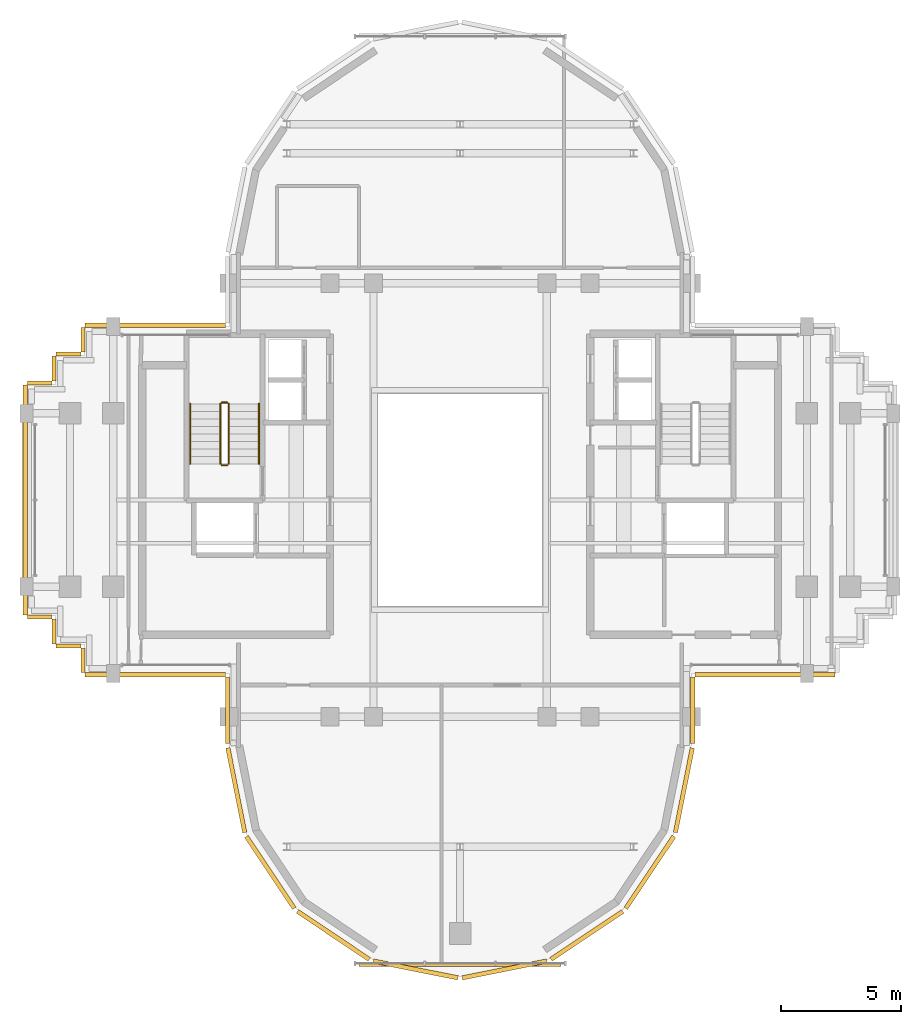
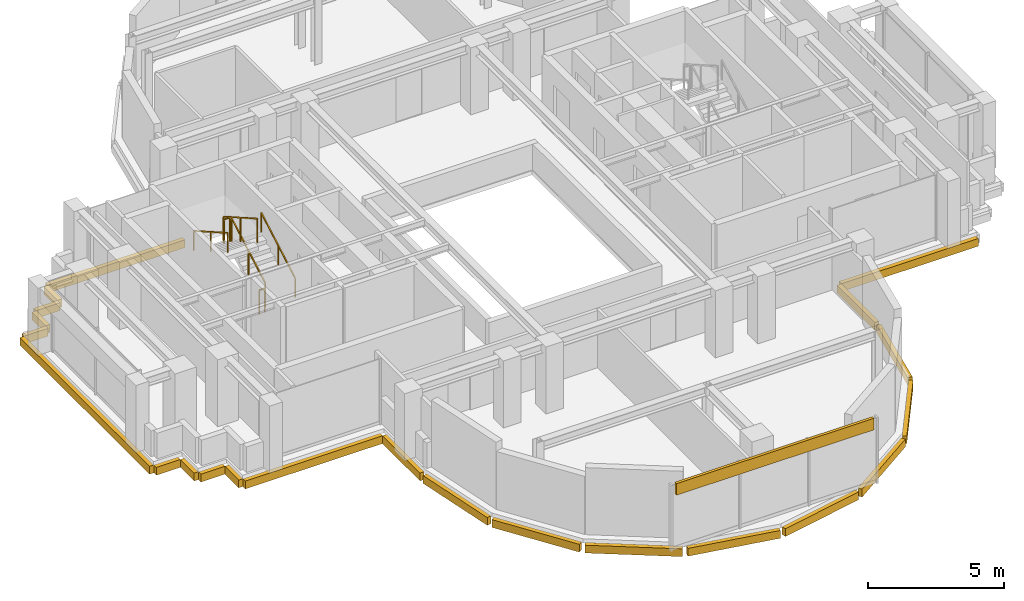
# One storey, part 11 of 12: 23 coverings, 6 railings.
"""IFC4 building model written with IfcOpenShell, lengths in metres."""

from ifc_helpers import new_model, si_unit, direction, frame, origin, origin_2d, place, context, subcontext, project, spatial, rectangle, extrude, source, transform, mapped, material, layer, layer_set, type_object, element, save


model = new_model("IFC4")

# Units and contexts
model_context = context("Model", 3, precision=1e-05, world=origin(), true_north=direction((0.0, 1.0)))
body_context = subcontext(model_context, "Body", "Model", "MODEL_VIEW")
ifc_project = project(units=[si_unit("LENGTHUNIT", "METRE"), si_unit("AREAUNIT", "SQUARE_METRE"), si_unit("VOLUMEUNIT", "CUBIC_METRE"), si_unit("PLANEANGLEUNIT", "RADIAN"), si_unit("MASSUNIT", "GRAM", prefix="KILO")], contexts=[model_context])

# Site, building, storey
site_placement = place(None, origin())
site = spatial("IfcSite", under=ifc_project, at=site_placement, CompositionType="ELEMENT")
building_placement = place(site_placement, origin())
building = spatial("IfcBuilding", under=site, at=building_placement, Name="Keilestroom Media Tower", CompositionType="ELEMENT")
storey_placement = place(building_placement, frame((0.0, 0.0, 236.39990234375)))
storey = spatial("IfcBuildingStorey", under=building, at=storey_placement, Name="L65", CompositionType="ELEMENT", Elevation=236.39990234375)

# Railings
ifc_material_1 = material(Name="Brushed Stainless Steel 1.4301", Category="steel")
railing_type_1 = type_object("IfcRailingType", Name="Stair-Pitch-Handrail-920", PredefinedType="HANDRAIL", material=ifc_material_1)
railing_1_placement = place(storey_placement, frame((-8.35009765625, 1.5, 0.177978515625)))
element("IfcRailing", 1, at=railing_1_placement, inside=storey, type_object=railing_type_1, Name="L65 ST-1 stair handrail 1", PredefinedType="HANDRAIL", context=body_context, shape_type="SweptSolid", body=[
    extrude(rectangle(XDim=0.048095703125, YDim=0.048095703125, at=origin_2d()), frame((0.0, 0.0, 0.8759765625), z_axis=(0.0, 0.868875238982, 0.495031129408), x_axis=(-1.0, 0.0, 0.0)), (0.0, 0.0, 1.0), 2.872802734375),
    extrude(rectangle(XDim=0.0419921875, YDim=0.0419921875, at=origin_2d()), origin(), (0.0, 0.0, 1.0), 0.84375),
    extrude(rectangle(XDim=0.0419921875, YDim=0.0419921875, at=origin_2d()), frame((0.0, 1.248046875, 0.7109375)), (0.0, 0.0, 1.0), 0.84375),
    extrude(rectangle(XDim=0.0419921875, YDim=0.0419921875, at=origin_2d()), frame((0.0, 2.49609375, 1.422119140625)), (0.0, 0.0, 1.0), 0.84375),
])
railing_2_placement = place(storey_placement, frame((-11.2099609375, 3.99609375, 1.77783203125)))
element("IfcRailing", 2, at=railing_2_placement, inside=storey, type_object=railing_type_1, Name="L65 ST-1 stair handrail 2", PredefinedType="HANDRAIL", context=body_context, shape_type="SweptSolid", body=[
    extrude(rectangle(XDim=0.048095703125, YDim=0.048095703125, at=origin_2d()), frame((0.0, 0.0, 0.8759765625), z_axis=(0.0, -0.868838684858, 0.495095283449), x_axis=(1.0, 0.0, 0.0)), (0.0, 0.0, 1.0), 2.872802734375),
    extrude(rectangle(XDim=0.0419921875, YDim=0.0419921875, at=origin_2d()), origin(), (0.0, 0.0, 1.0), 0.84375),
    extrude(rectangle(XDim=0.0419921875, YDim=0.0419921875, at=origin_2d()), frame((0.0, -1.248046875, 0.711181640625)), (0.0, 0.0, 1.0), 0.84375),
    extrude(rectangle(XDim=0.0419921875, YDim=0.0419921875, at=origin_2d()), frame((0.0, -2.49609375, 1.42236328125)), (0.0, 0.0, 1.0), 0.84375),
])
ifc_material_2 = material(Name="Painted Steel Balustrade", Category="steel")
railing_type_2 = type_object("IfcRailingType", Name="Stair-Well-And-Landing-Guard-1100", PredefinedType="GUARDRAIL", material=ifc_material_2)
railing_3_placement = place(storey_placement, frame((-9.610107421875, 1.5, 0.177978515625)))
element("IfcRailing", 3, at=railing_3_placement, inside=storey, type_object=railing_type_2, Name="L65 ST-1 stair guard 1", PredefinedType="GUARDRAIL", context=body_context, shape_type="SweptSolid", body=[
    extrude(rectangle(XDim=0.048095703125, YDim=0.048095703125, at=origin_2d()), frame((0.0, 0.0, 1.076171875), z_axis=(0.0, 0.868875238982, 0.495031129408), x_axis=(-1.0, 0.0, 0.0)), (0.0, 0.0, 1.0), 2.872802734375),
    extrude(rectangle(XDim=0.0419921875, YDim=0.0419921875, at=origin_2d()), origin(), (0.0, 0.0, 1.0), 1.0439453125),
    extrude(rectangle(XDim=0.0419921875, YDim=0.0419921875, at=origin_2d()), frame((0.0, 1.248046875, 0.7109375)), (0.0, 0.0, 1.0), 1.0439453125),
    extrude(rectangle(XDim=0.0419921875, YDim=0.0419921875, at=origin_2d()), frame((0.0, 2.49609375, 1.422119140625)), (0.0, 0.0, 1.0), 1.0439453125),
])
railing_4_placement = place(storey_placement, frame((-9.659912109375, 4.0458984375, 1.60009765625)))
element("IfcRailing", 4, at=railing_4_placement, inside=storey, type_object=railing_type_2, Name="L65 ST-1 stair guard 2", PredefinedType="GUARDRAIL", context=body_context, shape_type="SweptSolid", body=[
    extrude(rectangle(XDim=0.048095703125, YDim=0.048095703125, at=origin_2d()), frame((0.0, 0.0, 1.076171875), z_axis=(-1.0, 0.0, 0.0), x_axis=(0.0, -1.0, 0.0)), (0.0, 0.0, 1.0), 0.239990234375),
    extrude(rectangle(XDim=0.0419921875, YDim=0.0419921875, at=origin_2d()), origin(), (0.0, 0.0, 1.0), 1.0439453125),
    extrude(rectangle(XDim=0.0419921875, YDim=0.0419921875, at=origin_2d()), frame((-0.239990234375, 0.0, 0.0)), (0.0, 0.0, 1.0), 1.0439453125),
])
railing_5_placement = place(storey_placement, frame((-9.949951171875, 3.99609375, 1.77783203125)))
element("IfcRailing", 5, at=railing_5_placement, inside=storey, type_object=railing_type_2, Name="L65 ST-1 stair guard 3", PredefinedType="GUARDRAIL", context=body_context, shape_type="SweptSolid", body=[
    extrude(rectangle(XDim=0.048095703125, YDim=0.048095703125, at=origin_2d()), frame((0.0, 0.0, 1.076171875), z_axis=(0.0, -0.868838684858, 0.495095283449), x_axis=(1.0, 0.0, 0.0)), (0.0, 0.0, 1.0), 2.872802734375),
    extrude(rectangle(XDim=0.0419921875, YDim=0.0419921875, at=origin_2d()), origin(), (0.0, 0.0, 1.0), 1.0439453125),
    extrude(rectangle(XDim=0.0419921875, YDim=0.0419921875, at=origin_2d()), frame((0.0, -1.248046875, 0.711181640625)), (0.0, 0.0, 1.0), 1.0439453125),
    extrude(rectangle(XDim=0.0419921875, YDim=0.0419921875, at=origin_2d()), frame((0.0, -2.49609375, 1.42236328125)), (0.0, 0.0, 1.0), 1.0439453125),
])
railing_6_placement = place(storey_placement, frame((-9.659912109375, 1.449951171875, 0.0)))
element("IfcRailing", 6, at=railing_6_placement, inside=storey, type_object=railing_type_2, Name="L65 ST-1 stair guard 4", PredefinedType="GUARDRAIL", context=body_context, shape_type="SweptSolid", body=[
    extrude(rectangle(XDim=0.048095703125, YDim=0.048095703125, at=origin_2d()), frame((0.0, 0.0, 1.076171875), z_axis=(-1.0, 0.0, 0.0), x_axis=(0.0, -1.0, 0.0)), (0.0, 0.0, 1.0), 0.239990234375),
    extrude(rectangle(XDim=0.0419921875, YDim=0.0419921875, at=origin_2d()), origin(), (0.0, 0.0, 1.0), 1.0439453125),
    extrude(rectangle(XDim=0.0419921875, YDim=0.0419921875, at=origin_2d()), frame((-0.239990234375, 0.0, 0.0)), (0.0, 0.0, 1.0), 1.0439453125),
])

# Coverings
ifc_material_3 = material(Name="Precast concrete C40/50", Category="concrete")
ifc_layer = layer(ifc_material_3, 0.1201171875)
ifc_layer_set = layer_set([ifc_layer], Name="Precast concrete C40/50")
covering_type = type_object("IfcCoveringType", Name="Exterior-Precast-Spandrel-Cladding-Panel-120", PredefinedType="CLADDING", material=ifc_layer_set)
shared_shape_1 = source(origin(), body_context, "Body", "SweptSolid", [
    extrude(rectangle(XDim=8.39990234375, YDim=0.1201171875, at=origin_2d()), origin(), (0.0, 0.0, 1.0), 0.52001953125),
])
covering_1_placement = place(storey_placement, frame((0.0, -19.320068359375, 2.5), z_axis=(0.0, 0.0, 1.0), x_axis=(1.0, 0.0, 0.0)))
element("IfcCovering", 7, at=covering_1_placement, inside=storey, type_object=covering_type, Name="L65 Precast Spandrel Cladding S", PredefinedType="CLADDING", context=body_context, shape_type="MappedRepresentation", body=[
    mapped(shared_shape_1, transform((0.0, 0.0, 0.0), x_axis=(1.0, 0.0, 0.0), y_axis=(0.0, 1.0, 0.0), z_axis=(0.0, 0.0, 1.0), scale=1.0)),
])
shared_shape_2 = source(origin(), body_context, "Body", "SweptSolid", [
    extrude(rectangle(XDim=1.02001953125, YDim=0.179931640625, at=origin_2d()), origin(), (0.0, 0.0, 1.0), 0.35009765625),
])
for number, where, z_axis, x_axis, name in (
    (8, (-15.659912109375, -6.659912109375, -0.530029296875), (0.0, 0.0, 1.0), (0.0, 1.0, 0.0), "L65 Precast Slab-Edge Fascia Cornice 17"),
    (9, (-16.260009765625, -6.06005859375, -0.530029296875), (0.0, 0.0, 1.0), (-1.0, 0.0, 0.0), "L65 Precast Slab-Edge Fascia Cornice 18"),
    (10, (-16.860107421875, -5.4599609375, -0.530029296875), (0.0, 0.0, 1.0), (0.0, 1.0, 0.0), "L65 Precast Slab-Edge Fascia Cornice 19"),
    (11, (-17.4599609375, -4.860107421875, -0.530029296875), (0.0, 0.0, 1.0), (-1.0, 0.0, 0.0), "L65 Precast Slab-Edge Fascia Cornice 20"),
    (12, (-17.4599609375, 4.860107421875, -0.530029296875), (0.0, 0.0, 1.0), (1.0, 0.0, 0.0), "L65 Precast Slab-Edge Fascia Cornice 22"),
    (13, (-16.860107421875, 5.4599609375, -0.530029296875), (0.0, 0.0, 1.0), (0.0, 1.0, 0.0), "L65 Precast Slab-Edge Fascia Cornice 23"),
    (14, (-16.260009765625, 6.06005859375, -0.530029296875), (0.0, 0.0, 1.0), (1.0, 0.0, 0.0), "L65 Precast Slab-Edge Fascia Cornice 24"),
    (15, (-15.659912109375, 6.659912109375, -0.530029296875), (0.0, 0.0, 1.0), (0.0, 1.0, 0.0), "L65 Precast Slab-Edge Fascia Cornice 25"),
):
    element("IfcCovering", number, at=place(storey_placement, frame(where, z_axis=z_axis, x_axis=x_axis)), inside=storey, type_object=covering_type, Name=name, PredefinedType="CLADDING", context=body_context, shape_type="MappedRepresentation", body=[
        mapped(shared_shape_2, transform((0.0, 0.0, 0.0), x_axis=(1.0, 0.0, 0.0), y_axis=(0.0, 1.0, 0.0), z_axis=(0.0, 0.0, 1.0), scale=1.0)),
    ])
shared_shape_3 = source(origin(), body_context, "Body", "SweptSolid", [
    extrude(rectangle(XDim=5.820068359375, YDim=0.179931640625, at=origin_2d()), origin(), (0.0, 0.0, 1.0), 0.35009765625),
])
for number, where, z_axis, x_axis, name in (
    (16, (12.659912109375, -7.260009765625, -0.530029296875), (0.0, 0.0, 1.0), (-1.0, 0.0, 0.0), "L65 Precast Slab-Edge Fascia Cornice 05"),
    (17, (-12.659912109375, -7.260009765625, -0.530029296875), (0.0, 0.0, 1.0), (-1.0, 0.0, 0.0), "L65 Precast Slab-Edge Fascia Cornice 16"),
    (18, (-12.659912109375, 7.260009765625, -0.530029296875), (0.0, 0.0, 1.0), (1.0, 0.0, 0.0), "L65 Precast Slab-Edge Fascia Cornice 26"),
):
    element("IfcCovering", number, at=place(storey_placement, frame(where, z_axis=z_axis, x_axis=x_axis)), inside=storey, type_object=covering_type, Name=name, PredefinedType="CLADDING", context=body_context, shape_type="MappedRepresentation", body=[
        mapped(shared_shape_3, transform((0.0, 0.0, 0.0), x_axis=(1.0, 0.0, 0.0), y_axis=(0.0, 1.0, 0.0), z_axis=(0.0, 0.0, 1.0), scale=1.0)),
    ])
shared_shape_4 = source(origin(), body_context, "Body", "SweptSolid", [
    extrude(rectangle(XDim=2.765869140625, YDim=0.179931640625, at=origin_2d()), origin(), (0.0, 0.0, 1.0), 0.35009765625),
])
for number, where, z_axis, x_axis, name in (
    (19, (9.659912109375, -8.73291015625, -0.530029296875), (0.0, 0.0, 1.0), (0.0, -1.0, 0.0), "L65 Precast Slab-Edge Fascia Cornice 06"),
    (20, (-9.659912109375, -8.73291015625, -0.530029296875), (0.0, 0.0, 1.0), (0.0, 1.0, 0.0), "L65 Precast Slab-Edge Fascia Cornice 15"),
):
    element("IfcCovering", number, at=place(storey_placement, frame(where, z_axis=z_axis, x_axis=x_axis)), inside=storey, type_object=covering_type, Name=name, PredefinedType="CLADDING", context=body_context, shape_type="MappedRepresentation", body=[
        mapped(shared_shape_4, transform((0.0, 0.0, 0.0), x_axis=(1.0, 0.0, 0.0), y_axis=(0.0, 1.0, 0.0), z_axis=(0.0, 0.0, 1.0), scale=1.0)),
    ])
shared_shape_5 = source(origin(), body_context, "Body", "SweptSolid", [
    extrude(rectangle(XDim=3.58349609375, YDim=0.179931640625, at=origin_2d()), origin(), (0.0, 0.0, 1.0), 0.35009765625),
])
for number, where, z_axis, x_axis, name in (
    (21, (9.29296875, -12.051513671875, -0.530029296875), (0.0, 0.0, 1.0), (-0.195098880975, -0.980783577882, 0.0), "L65 Precast Slab-Edge Fascia Cornice 07"),
    (22, (-9.29296875, -12.051513671875, -0.530029296875), (0.0, 0.0, 1.0), (-0.195098880975, 0.980783577882, 0.0), "L65 Precast Slab-Edge Fascia Cornice 14"),
):
    element("IfcCovering", number, at=place(storey_placement, frame(where, z_axis=z_axis, x_axis=x_axis)), inside=storey, type_object=covering_type, Name=name, PredefinedType="CLADDING", context=body_context, shape_type="MappedRepresentation", body=[
        mapped(shared_shape_5, transform((0.0, 0.0, 0.0), x_axis=(1.0, 0.0, 0.0), y_axis=(0.0, 1.0, 0.0), z_axis=(0.0, 0.0, 1.0), scale=1.0)),
    ])
shared_shape_6 = source(origin(), body_context, "Body", "SweptSolid", [
    extrude(rectangle(XDim=3.589599609375, YDim=0.179931640625, at=origin_2d()), origin(), (0.0, 0.0, 1.0), 0.35009765625),
])
for number, where, z_axis, x_axis, name in (
    (23, (7.878662109375, -15.46435546875, -0.530029296875), (0.0, 0.0, 1.0), (-0.555574586577, -0.831466703332, 0.0), "L65 Precast Slab-Edge Fascia Cornice 08"),
    (24, (5.264404296875, -18.07861328125, -0.530029296875), (0.0, 0.0, 1.0), (-0.831466703332, -0.555574586577, 0.0), "L65 Precast Slab-Edge Fascia Cornice 09"),
    (25, (1.8486328125, -19.493408203125, -0.530029296875), (0.0, 0.0, 1.0), (-0.980783577882, -0.195098880975, 0.0), "L65 Precast Slab-Edge Fascia Cornice 10"),
    (26, (-1.8486328125, -19.493408203125, -0.530029296875), (0.0, 0.0, 1.0), (-0.980783577882, 0.195098880975, 0.0), "L65 Precast Slab-Edge Fascia Cornice 11"),
    (27, (-5.264404296875, -18.07861328125, -0.530029296875), (0.0, 0.0, 1.0), (-0.831466703332, 0.555574586577, 0.0), "L65 Precast Slab-Edge Fascia Cornice 12"),
    (28, (-7.878662109375, -15.46435546875, -0.530029296875), (0.0, 0.0, 1.0), (-0.555574586577, 0.831466703332, 0.0), "L65 Precast Slab-Edge Fascia Cornice 13"),
):
    element("IfcCovering", number, at=place(storey_placement, frame(where, z_axis=z_axis, x_axis=x_axis)), inside=storey, type_object=covering_type, Name=name, PredefinedType="CLADDING", context=body_context, shape_type="MappedRepresentation", body=[
        mapped(shared_shape_6, transform((0.0, 0.0, 0.0), x_axis=(1.0, 0.0, 0.0), y_axis=(0.0, 1.0, 0.0), z_axis=(0.0, 0.0, 1.0), scale=1.0)),
    ])
shared_shape_7 = source(origin(), body_context, "Body", "SweptSolid", [
    extrude(rectangle(XDim=9.5400390625, YDim=0.179931640625, at=origin_2d()), origin(), (0.0, 0.0, 1.0), 0.35009765625),
])
covering_2_placement = place(storey_placement, frame((-18.06005859375, 0.0, -0.530029296875), z_axis=(0.0, 0.0, 1.0), x_axis=(0.0, 1.0, 0.0)))
element("IfcCovering", 29, at=covering_2_placement, inside=storey, type_object=covering_type, Name="L65 Precast Slab-Edge Fascia Cornice 21", PredefinedType="CLADDING", context=body_context, shape_type="MappedRepresentation", body=[
    mapped(shared_shape_7, transform((0.0, 0.0, 0.0), x_axis=(1.0, 0.0, 0.0), y_axis=(0.0, 1.0, 0.0), z_axis=(0.0, 0.0, 1.0), scale=1.0)),
])

save(model, "model.ifc")
